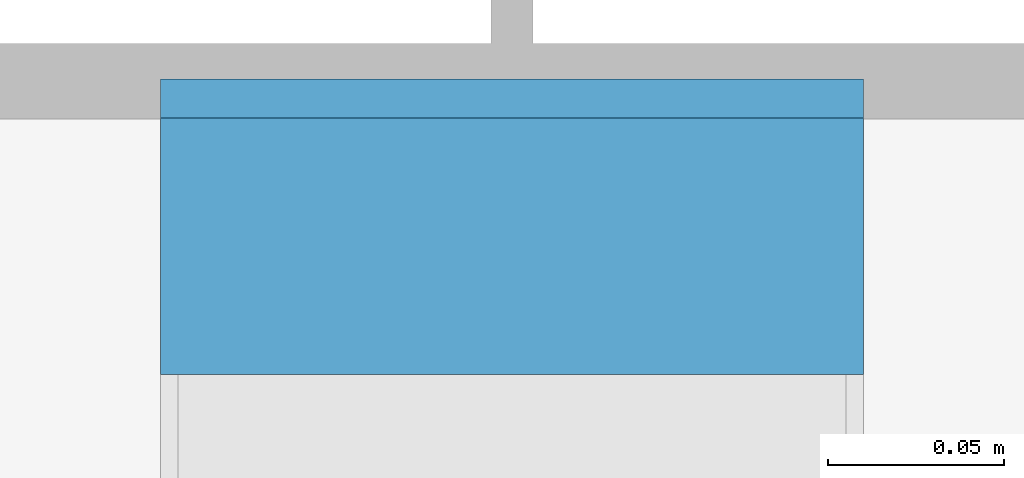
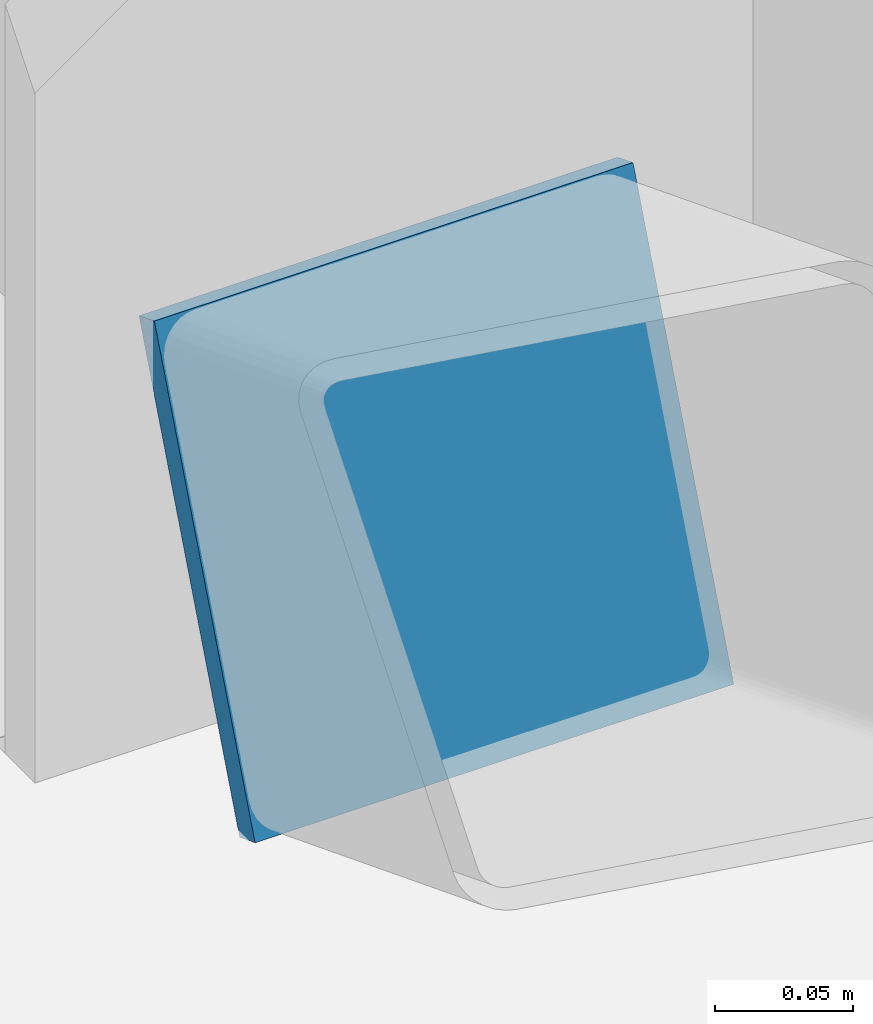
# One storey, part 156 of 170: 1 discrete accessory.
"""IFC4 building model written with IfcOpenShell, lengths in metres."""

from ifc_helpers import new_model, si_unit, direction, frame, origin, origin_2d, place, context, subcontext, project, spatial, rectangle, extrude, material, material_profile, profile_set, type_object, element, save


model = new_model("IFC4")

# Units and contexts
model_context = context("Model", 3, precision=1e-05, world=origin(), true_north=direction((0.0, 1.0)))
body_context = subcontext(model_context, "Body", "Model", "MODEL_VIEW")
ifc_project = project(units=[si_unit("LENGTHUNIT", "METRE"), si_unit("AREAUNIT", "SQUARE_METRE"), si_unit("VOLUMEUNIT", "CUBIC_METRE"), si_unit("PLANEANGLEUNIT", "RADIAN"), si_unit("MASSUNIT", "GRAM", prefix="KILO")], contexts=[model_context])

# Site, building, storey
site_placement = place(None, origin())
site = spatial("IfcSite", under=ifc_project, at=site_placement, CompositionType="ELEMENT")
building_placement = place(site_placement, origin())
building = spatial("IfcBuilding", under=site, at=building_placement, Name="Ravi Spectrum Wholesale Market", CompositionType="ELEMENT")
storey_placement = place(building_placement, frame((0.0, 0.0, 5.39990234375)))
storey = spatial("IfcBuildingStorey", under=building, at=storey_placement, Name="L01", CompositionType="ELEMENT", Elevation=5.39990234375)

# Discrete accessory
ifc_material = material(Name="Steel S355", Category="steel")
ifc_material_profile = material_profile(ifc_material, rectangle(XDim=0.199951171875, YDim=0.199951171875, at=origin_2d()))
ifc_profile_set = profile_set([ifc_material_profile], Name="Steel S355")
discrete_accessory_type = type_object("IfcDiscreteAccessoryType", Name="End plate SHS 200x200x8", PredefinedType="BRACKET", material=ifc_profile_set)
discrete_accessory_placement = place(storey_placement, frame((282.0, 53.793701171875, 0.09326171875), z_axis=(0.0, 0.931242779706, -0.364399348581), x_axis=(-1.0, 0.0, 0.0)))
element("IfcDiscreteAccessory", 1, at=discrete_accessory_placement, inside=storey, type_object=discrete_accessory_type, Name="End plate", PredefinedType="BRACKET", context=body_context, shape_type="SweptSolid", body=[
    extrude(rectangle(XDim=0.199951171875, YDim=0.199951171875, at=origin_2d()), origin(), (0.0, 0.0, 1.0), 0.011962890625),
])

save(model, "model.ifc")
